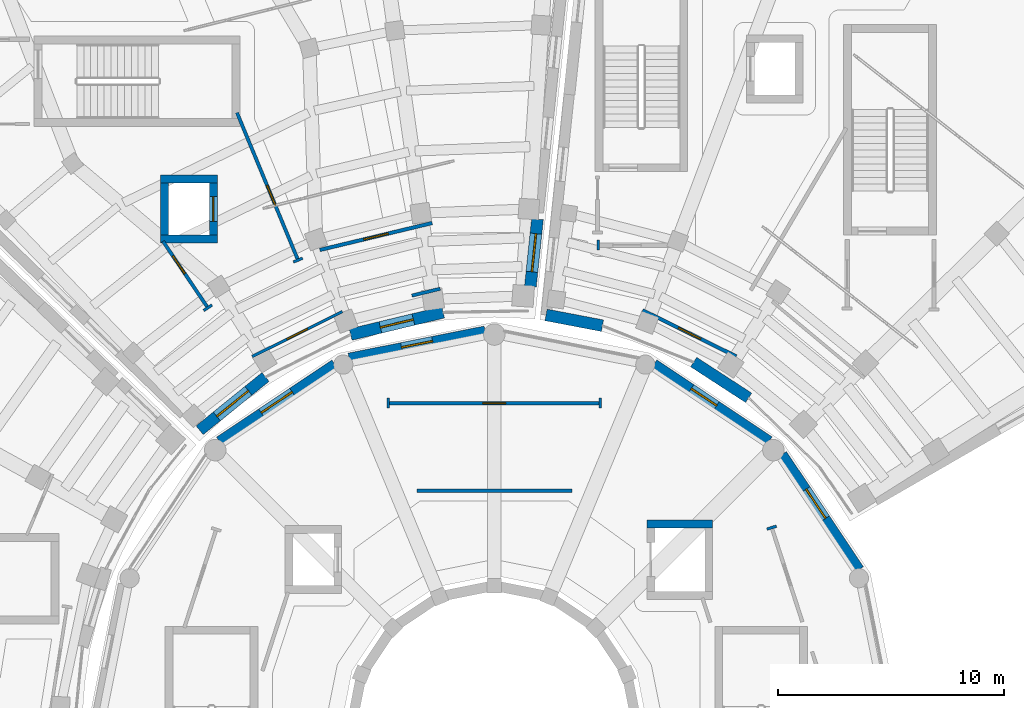
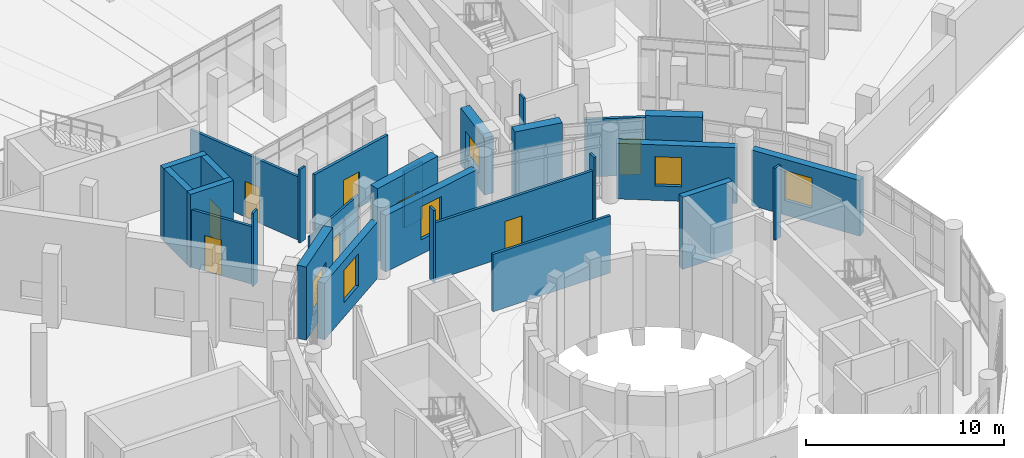
# One storey, part 55 of 75: 28 walls, 7 doors, 7 windows, 14 openings.
"""IFC4 building model written with IfcOpenShell, lengths in metres."""

from ifc_helpers import new_model, si_unit, direction, frame, frame_2d, origin, place, context, subcontext, project, spatial, rectangle, extrude, material, layer, layer_set, type_object, element, fill, save


model = new_model("IFC4")

# Units and contexts
model_context = context("Model", 3, precision=1e-05, world=origin(), true_north=direction((0.0, 1.0)))
body_context = subcontext(model_context, "Body", "Model", "MODEL_VIEW")
ifc_project = project(units=[si_unit("LENGTHUNIT", "METRE"), si_unit("AREAUNIT", "SQUARE_METRE"), si_unit("VOLUMEUNIT", "CUBIC_METRE"), si_unit("PLANEANGLEUNIT", "RADIAN"), si_unit("MASSUNIT", "GRAM", prefix="KILO")], contexts=[model_context])

# Site, building, storey
site_placement = place(None, origin())
site = spatial("IfcSite", under=ifc_project, at=site_placement, CompositionType="ELEMENT")
building_placement = place(site_placement, origin())
building = spatial("IfcBuilding", under=site, at=building_placement, Name="Soyqirgoq Riverine Aquarium", CompositionType="ELEMENT")
storey_placement = place(building_placement, frame((0.0, 0.0, 10.199951171875)))
storey = spatial("IfcBuildingStorey", under=building, at=storey_placement, Name="L03", CompositionType="ELEMENT", Elevation=10.199951171875)

# Walls
ifc_material_1 = material(Name="Concrete C40/50", Category="concrete")
ifc_layer_1 = layer(ifc_material_1, 0.35009765625)
ifc_layer_set_1 = layer_set([ifc_layer_1], Name="Concrete C40/50")
wall_type_1 = type_object("IfcWallType", Name="CoreShearWall_350_C40", PredefinedType="SHEAR", material=ifc_layer_set_1)
wall_1_placement = place(storey_placement, frame((65.655029296875, 66.080078125, 0.0), z_axis=(0.0, 0.0, 1.0), x_axis=(-1.0, 0.0, 0.0)))
element("IfcWall", 1, at=wall_1_placement, inside=storey, type_object=wall_type_1, Name="Lift GL-1 Shaft Wall L03 3", PredefinedType="SHEAR", context=body_context, shape_type="SweptSolid", body=[
    extrude(rectangle(XDim=2.909912109375, YDim=0.35009765625, at=frame_2d((1.455078125, 0.0))), origin(), (0.0, 0.0, 1.0), 4.449951171875),
])
wall_2_placement = place(storey_placement, frame((41.2451171875, 78.669921875, 0.0), z_axis=(0.0, 0.0, 1.0), x_axis=(1.0, 0.0, 0.0)))
element("IfcWall", 2, at=wall_2_placement, inside=storey, type_object=wall_type_1, Name="Lift PL-3 Shaft Wall L03 1", PredefinedType="SHEAR", context=body_context, shape_type="SweptSolid", body=[
    extrude(rectangle(XDim=2.509765625, YDim=0.35009765625, at=frame_2d((1.2548828125, 0.0))), origin(), (0.0, 0.0, 1.0), 4.52001953125),
])

# Wall, opening, door
wall_3_placement = place(storey_placement, frame((43.580078125, 78.844970703125, 0.0), z_axis=(0.0, 0.0, 1.0), x_axis=(0.0, 1.0, 0.0)))
wall_3 = element("IfcWall", 3, at=wall_3_placement, inside=storey, type_object=wall_type_1, Name="Lift PL-3 Shaft Wall L03 2", PredefinedType="SHEAR", context=body_context, shape_type="SweptSolid", body=[
    extrude(rectangle(XDim=2.31005859375, YDim=0.35009765625, at=frame_2d((1.155029296875, 0.0))), origin(), (0.0, 0.0, 1.0), 4.52001953125),
])
opening_1_placement = place(wall_3_placement, frame((0.60498046875, 0.0, 0.0)))
opening_1 = element("IfcOpeningElement", 4, at=opening_1_placement, cuts=wall_3, Name="Opening LD-01", PredefinedType="OPENING", context=body_context, shape_type="SweptSolid", body=[
    extrude(rectangle(XDim=1.10009765625, YDim=2.199951171875, at=frame_2d((0.550048828125, 1.10009765625))), frame((0.0, 0.18505859375, 0.0), z_axis=(0.0, -1.0, 0.0), x_axis=(1.0, 0.0, 0.0)), (0.0, 0.0, 1.0), 0.3701171875),
])
ifc_material_2 = material(Name="Brushed stainless steel telescopic lift landing door", Category="steel")
door_type_1 = type_object("IfcDoorType", Name="LiftLandingDoor_1100x2200", OperationType="SLIDING_TO_LEFT", PredefinedType="DOOR", material=ifc_material_2)
door_1_placement = place(opening_1_placement, origin())
door_1 = element("IfcDoor", 5, at=door_1_placement, inside=storey, type_object=door_type_1, Name="LD-PL-3-L03 Lift PL-3 L03 Sliding Landing Door", OperationType="SLIDING_TO_LEFT", OverallHeight=2.199951171875, OverallWidth=1.10009765625, PredefinedType="DOOR", context=body_context, shape_type="SweptSolid", body=[
    extrude(rectangle(XDim=1.10009765625, YDim=2.199951171875, at=frame_2d((0.550048828125, 1.10009765625))), frame((0.0, 0.02490234375, 0.0), z_axis=(0.0, -1.0, 0.0), x_axis=(1.0, 0.0, 0.0)), (0.0, 0.0, 1.0), 0.050048828125),
])
fill(opening_1, door_1)

# Walls
wall_4_placement = place(storey_placement, frame((43.7548828125, 81.330078125, 0.0), z_axis=(0.0, 0.0, 1.0), x_axis=(-1.0, 0.0, 0.0)))
element("IfcWall", 6, at=wall_4_placement, inside=storey, type_object=wall_type_1, Name="Lift PL-3 Shaft Wall L03 3", PredefinedType="SHEAR", context=body_context, shape_type="SweptSolid", body=[
    extrude(rectangle(XDim=2.509765625, YDim=0.35009765625, at=frame_2d((1.2548828125, 0.0))), origin(), (0.0, 0.0, 1.0), 4.52001953125),
])
wall_5_placement = place(storey_placement, frame((41.419921875, 81.155029296875, 0.0), z_axis=(0.0, 0.0, 1.0), x_axis=(0.0, -1.0, 0.0)))
element("IfcWall", 7, at=wall_5_placement, inside=storey, type_object=wall_type_1, Name="Lift PL-3 Shaft Wall L03 4", PredefinedType="SHEAR", context=body_context, shape_type="SweptSolid", body=[
    extrude(rectangle(XDim=2.31005859375, YDim=0.35009765625, at=frame_2d((1.155029296875, 0.0))), origin(), (0.0, 0.0, 1.0), 4.52001953125),
])
ifc_material_3 = material(Name="Lightweight steel-stud gypsum partition", Category="steel")
ifc_layer_2 = layer(ifc_material_3, 0.1201171875)
ifc_layer_set_2 = layer_set([ifc_layer_2], Name="Lightweight steel-stud gypsum partition")
wall_type_2 = type_object("IfcWallType", Name="PartitionWall_120_Std", PredefinedType="PARTITIONING", material=ifc_layer_set_2)
for number, where, z_axis, x_axis, name in (
    (8, (51.314208984375, 71.200927734375, 0.0), (0.0, 0.0, 1.0), (0.0, 1.0, 0.0), "V1 L03 Jamb Return Pier"),
    (9, (60.685791015625, 71.200927734375, 0.0), (0.0, 0.0, 1.0), (0.0, 1.0, 0.0), "V1 L03 Jamb Return Pier"),
):
    element("IfcWall", number, at=place(storey_placement, frame(where, z_axis=z_axis, x_axis=x_axis)), inside=storey, type_object=wall_type_2, Name=name, PredefinedType="PARTITIONING", context=body_context, shape_type="SweptSolid", body=[
        extrude(rectangle(XDim=0.440185546875, YDim=0.1201171875, at=frame_2d((0.22021484375, 0.0))), origin(), (0.0, 0.0, 1.0), 4.449951171875),
    ])
wall_6_placement = place(storey_placement, frame((68.05810546875, 65.8447265625, 0.0), z_axis=(0.0, 0.0, 1.0), x_axis=(0.950989181438, 0.309224152984, 0.0)))
element("IfcWall", 10, at=wall_6_placement, inside=storey, type_object=wall_type_2, Name="V1 L03 Jamb Return Pier", PredefinedType="PARTITIONING", context=body_context, shape_type="SweptSolid", body=[
    extrude(rectangle(XDim=0.439697265625, YDim=0.1201171875, at=frame_2d((0.2197265625, 0.0))), origin(), (0.0, 0.0, 1.0), 4.449951171875),
])

# Wall, opening, door
wall_7_placement = place(storey_placement, frame((45.2978515625, 73.47998046875, 0.0), z_axis=(0.0, 0.0, 1.0), x_axis=(0.894931487964, 0.446203576689, 0.0)))
wall_7 = element("IfcWall", 11, at=wall_7_placement, inside=storey, type_object=wall_type_2, Name="V4 Gallery Circulation Corridor Partition Wall", PredefinedType="PARTITIONING", context=body_context, shape_type="SweptSolid", body=[
    extrude(rectangle(XDim=4.448974609375, YDim=0.1201171875, at=frame_2d((2.224609375, 0.0))), origin(), (0.0, 0.0, 1.0), 3.56005859375),
])
opening_2_placement = place(wall_7_placement, frame((1.724609375, 0.0, 0.0)))
opening_2 = element("IfcOpeningElement", 12, at=opening_2_placement, cuts=wall_7, Name="Opening ID-03", PredefinedType="OPENING", context=body_context, shape_type="SweptSolid", body=[
    extrude(rectangle(XDim=1.0, YDim=2.199951171875, at=frame_2d((0.5, 1.10009765625))), frame((0.0, 0.070068359375, 0.0), z_axis=(0.0, -1.0, 0.0), x_axis=(1.0, 0.0, 0.0)), (0.0, 0.0, 1.0), 0.14013671875),
])
ifc_material_4 = material(Name="Solid-core ash veneer room door", Category="wood")
door_type_2 = type_object("IfcDoorType", Name="RoomDoor_1000x2200", OperationType="NOTDEFINED", PredefinedType="DOOR", material=ifc_material_4)
door_2_placement = place(opening_2_placement, origin())
door_2 = element("IfcDoor", 13, at=door_2_placement, inside=storey, type_object=door_type_2, Name="IDR-V4-L03-0124 Jellyfish Gallery Door", OperationType="SINGLE_SWING_RIGHT", OverallHeight=2.199951171875, OverallWidth=1.0, PredefinedType="DOOR", context=body_context, shape_type="SweptSolid", body=[
    extrude(rectangle(XDim=1.0, YDim=2.199951171875, at=frame_2d((0.5, 1.10009765625))), frame((0.0, 0.02490234375, 0.0), z_axis=(0.0, -1.0, 0.0), x_axis=(1.0, 0.0, 0.0)), (0.0, 0.0, 1.0), 0.050048828125),
])
fill(opening_2, door_2)

# Walls
wall_8_placement = place(storey_placement, frame((43.516845703125, 75.75732421875, 0.0), z_axis=(0.0, 0.0, 1.0), x_axis=(-0.828964441269, -0.559301309772, 0.0)))
element("IfcWall", 14, at=wall_8_placement, inside=storey, type_object=wall_type_2, Name="V4 L03 Jamb Return Pier", PredefinedType="PARTITIONING", context=body_context, shape_type="SweptSolid", body=[
    extrude(rectangle(XDim=0.43994140625, YDim=0.1201171875, at=frame_2d((0.219970703125, 0.0))), origin(), (0.0, 0.0, 1.0), 4.52001953125),
])
wall_9_placement = place(storey_placement, frame((47.525146484375, 77.826416015625, 0.0), z_axis=(0.0, 0.0, 1.0), x_axis=(-0.923895176824, -0.38264566147, 0.0)))
element("IfcWall", 15, at=wall_9_placement, inside=storey, type_object=wall_type_2, Name="V4 L03 Jamb Return Pier", PredefinedType="PARTITIONING", context=body_context, shape_type="SweptSolid", body=[
    extrude(rectangle(XDim=0.440185546875, YDim=0.1201171875, at=frame_2d((0.22021484375, 0.0))), origin(), (0.0, 0.0, 1.0), 4.52001953125),
])
wall_10_placement = place(storey_placement, frame((60.60009765625, 78.179931640625, 0.0), z_axis=(0.0, 0.0, 1.0), x_axis=(0.0, 1.0, 0.0)))
element("IfcWall", 16, at=wall_10_placement, inside=storey, type_object=wall_type_2, Name="V5 L03 Jamb Return Pier", PredefinedType="PARTITIONING", context=body_context, shape_type="SweptSolid", body=[
    extrude(rectangle(XDim=0.440185546875, YDim=0.1201171875, at=frame_2d((0.22021484375, 0.0))), origin(), (0.0, 0.0, 1.0), 3.91015625),
])

# Wall, opening, door
ifc_material_5 = material(Name="Acoustic mineral-wool twin-stud partition", Category="gypsum")
ifc_layer_3 = layer(ifc_material_5, 0.14990234375)
ifc_layer_set_3 = layer_set([ifc_layer_3], Name="Acoustic mineral-wool twin-stud partition")
wall_type_3 = type_object("IfcWallType", Name="PartitionWall_150_Acoustic", PredefinedType="PARTITIONING", material=ifc_layer_set_3)
wall_11_placement = place(storey_placement, frame((51.314208984375, 71.4208984375, 0.0), z_axis=(0.0, 0.0, 1.0), x_axis=(1.0, 0.0, 0.0)))
wall_11 = element("IfcWall", 17, at=wall_11_placement, inside=storey, type_object=wall_type_3, Name="Ocean Tank Panorama Gallery Partition Wall", PredefinedType="PARTITIONING", context=body_context, shape_type="SweptSolid", body=[
    extrude(rectangle(XDim=9.37158203125, YDim=0.14990234375, at=frame_2d((4.685791015625, 0.0))), origin(), (0.0, 0.0, 1.0), 3.5400390625),
])
opening_3_placement = place(wall_11_placement, frame((4.185791015625, 0.0, 0.0)))
opening_3 = element("IfcOpeningElement", 18, at=opening_3_placement, cuts=wall_11, Name="Opening ID-03", PredefinedType="OPENING", context=body_context, shape_type="SweptSolid", body=[
    extrude(rectangle(XDim=1.0, YDim=2.199951171875, at=frame_2d((0.5, 1.10009765625))), frame((0.0, 0.0849609375, 0.0), z_axis=(0.0, -1.0, 0.0), x_axis=(1.0, 0.0, 0.0)), (0.0, 0.0, 1.0), 0.169921875),
])
door_3_placement = place(opening_3_placement, origin())
door_3 = element("IfcDoor", 19, at=door_3_placement, inside=storey, type_object=door_type_2, Name="IDR-V1-L03-0039 Ocean Drum Circulation Corridor Door", OperationType="SINGLE_SWING_LEFT", OverallHeight=2.199951171875, OverallWidth=1.0, PredefinedType="DOOR", context=body_context, shape_type="SweptSolid", body=[
    extrude(rectangle(XDim=1.0, YDim=2.199951171875, at=frame_2d((0.5, 1.10009765625))), frame((0.0, 0.02490234375, 0.0), z_axis=(0.0, -1.0, 0.0), x_axis=(1.0, 0.0, 0.0)), (0.0, 0.0, 1.0), 0.050048828125),
])
fill(opening_3, door_3)

# Wall
wall_12_placement = place(storey_placement, frame((59.426025390625, 67.544189453125, 0.0), z_axis=(0.0, 0.0, 1.0), x_axis=(-1.0, 0.0, 0.0)))
element("IfcWall", 20, at=wall_12_placement, inside=storey, type_object=wall_type_3, Name="Kelp Canopy Viewing Terrace Room Partition Wall", PredefinedType="PARTITIONING", context=body_context, shape_type="SweptSolid", body=[
    extrude(rectangle(XDim=6.85205078125, YDim=0.14990234375, at=frame_2d((3.426025390625, 0.0))), origin(), (0.0, 0.0, 1.0), 3.5400390625),
])

# Wall, opening, door
wall_13_placement = place(storey_placement, frame((43.33447265625, 75.63427734375, 0.0), z_axis=(0.0, 0.0, 1.0), x_axis=(-0.559178030118, 0.829047604564, 0.0)))
wall_13 = element("IfcWall", 21, at=wall_13_placement, inside=storey, type_object=wall_type_3, Name="Jellyfish Gallery Partition Wall", PredefinedType="PARTITIONING", context=body_context, shape_type="SweptSolid", body=[
    extrude(rectangle(XDim=3.541748046875, YDim=0.14990234375, at=frame_2d((1.77099609375, 0.0))), origin(), (0.0, 0.0, 1.0), 3.56005859375),
])
opening_4_placement = place(wall_13_placement, frame((1.8134765625, 0.0, 0.0)))
opening_4 = element("IfcOpeningElement", 22, at=opening_4_placement, cuts=wall_13, Name="Opening ID-06", PredefinedType="OPENING", context=body_context, shape_type="SweptSolid", body=[
    extrude(rectangle(XDim=0.949951171875, YDim=2.199951171875, at=frame_2d((0.47509765625, 1.10009765625))), frame((0.0, 0.0849609375, 0.0), z_axis=(0.0, -1.0, 0.0), x_axis=(1.0, 0.0, 0.0)), (0.0, 0.0, 1.0), 0.169921875),
])
ifc_material_6 = material(Name="Moisture-resistant HPL washroom door", Category="wood")
door_type_3 = type_object("IfcDoorType", Name="WCDoor_950x2200", OperationType="NOTDEFINED", PredefinedType="DOOR", material=ifc_material_6)
door_4_placement = place(opening_4_placement, origin())
door_4 = element("IfcDoor", 23, at=door_4_placement, inside=storey, type_object=door_type_3, Name="IDR-V4-L03-0125 Cephalopod Habitat Gallery Door", OperationType="SINGLE_SWING_LEFT", OverallHeight=2.199951171875, OverallWidth=0.949951171875, PredefinedType="DOOR", context=body_context, shape_type="SweptSolid", body=[
    extrude(rectangle(XDim=0.949951171875, YDim=2.199951171875, at=frame_2d((0.47509765625, 1.10009765625))), frame((0.0, 0.02490234375, 0.0), z_axis=(0.0, -1.0, 0.0), x_axis=(1.0, 0.0, 0.0)), (0.0, 0.0, 1.0), 0.050048828125),
])
fill(opening_4, door_4)

wall_14_placement = place(storey_placement, frame((47.32177734375, 77.7421875, 0.0), z_axis=(0.0, 0.0, 1.0), x_axis=(-0.382701100873, 0.923872213778, 0.0)))
wall_14 = element("IfcWall", 24, at=wall_14_placement, inside=storey, type_object=wall_type_3, Name="Cephalopod Habitat Gallery Partition Wall", PredefinedType="PARTITIONING", context=body_context, shape_type="SweptSolid", body=[
    extrude(rectangle(XDim=7.0576171875, YDim=0.14990234375, at=frame_2d((3.52880859375, 0.0))), origin(), (0.0, 0.0, 1.0), 3.91015625),
])
opening_5_placement = place(wall_14_placement, frame((2.623779296875, 0.0, 0.0)))
opening_5 = element("IfcOpeningElement", 25, at=opening_5_placement, cuts=wall_14, Name="Opening ID-06", PredefinedType="OPENING", context=body_context, shape_type="SweptSolid", body=[
    extrude(rectangle(XDim=0.949951171875, YDim=2.199951171875, at=frame_2d((0.47509765625, 1.10009765625))), frame((0.0, 0.0849609375, 0.0), z_axis=(0.0, -1.0, 0.0), x_axis=(1.0, 0.0, 0.0)), (0.0, 0.0, 1.0), 0.169921875),
])
door_5_placement = place(opening_5_placement, origin())
door_5 = element("IfcDoor", 26, at=door_5_placement, inside=storey, type_object=door_type_3, Name="IDR-V4-L03-0127 Plankton Microscopy Laboratory Access Door", OperationType="SINGLE_SWING_RIGHT", OverallHeight=2.199951171875, OverallWidth=0.949951171875, PredefinedType="DOOR", context=body_context, shape_type="SweptSolid", body=[
    extrude(rectangle(XDim=0.949951171875, YDim=2.199951171875, at=frame_2d((0.47509765625, 1.10009765625))), frame((0.0, 0.02490234375, 0.0), z_axis=(0.0, -1.0, 0.0), x_axis=(1.0, 0.0, 0.0)), (0.0, 0.0, 1.0), 0.050048828125),
])
fill(opening_5, door_5)

# Wall
wall_15_placement = place(storey_placement, frame((53.60888671875, 76.473388671875, 0.0), z_axis=(0.0, 0.0, 1.0), x_axis=(-0.972382147102, -0.233394430091, 0.0)))
element("IfcWall", 27, at=wall_15_placement, inside=storey, type_object=wall_type_3, Name="Jellyfish Gallery Partition Wall", PredefinedType="PARTITIONING", context=body_context, shape_type="SweptSolid", body=[
    extrude(rectangle(XDim=1.289794921875, YDim=0.14990234375, at=frame_2d((0.64501953125, 0.0))), origin(), (0.0, 0.0, 1.0), 3.510009765625),
])

# Wall, opening, door
ifc_material_7 = material(Name="Fire-rated acoustic gypsum stud partition", Category="gypsum")
ifc_layer_4 = layer(ifc_material_7, 0.159912109375)
ifc_layer_set_4 = layer_set([ifc_layer_4], Name="Fire-rated acoustic gypsum stud partition")
wall_type_4 = type_object("IfcWallType", Name="PartitionWall_160_EI60", PredefinedType="PARTITIONING", material=ifc_layer_set_4)
wall_16_placement = place(storey_placement, frame((53.251708984375, 79.3818359375, 0.0), z_axis=(0.0, 0.0, 1.0), x_axis=(-0.972378185718, -0.233410933633, 0.0)))
wall_16 = element("IfcWall", 28, at=wall_16_placement, inside=storey, type_object=wall_type_4, Name="V4 Gallery Circulation Corridor Partition Wall", PredefinedType="PARTITIONING", context=body_context, shape_type="SweptSolid", body=[
    extrude(rectangle(XDim=5.10546875, YDim=0.159912109375, at=frame_2d((2.552734375, 0.0))), origin(), (0.0, 0.0, 1.0), 3.510009765625),
])
opening_6_placement = place(wall_16_placement, frame((2.002685546875, 0.0, 0.0)))
opening_6 = element("IfcOpeningElement", 29, at=opening_6_placement, cuts=wall_16, Name="Opening ID-04", PredefinedType="OPENING", context=body_context, shape_type="SweptSolid", body=[
    extrude(rectangle(XDim=1.10009765625, YDim=2.199951171875, at=frame_2d((0.550048828125, 1.10009765625))), frame((0.0, 0.08984375, 0.0), z_axis=(0.0, -1.0, 0.0), x_axis=(1.0, 0.0, 0.0)), (0.0, 0.0, 1.0), 0.179931640625),
])
ifc_material_8 = material(Name="Chemical-resistant HPL fire-rated laboratory door", Category="wood")
door_type_4 = type_object("IfcDoorType", Name="LabDoor_1100x2200_EI60", OperationType="NOTDEFINED", PredefinedType="DOOR", material=ifc_material_8)
door_6_placement = place(opening_6_placement, origin())
door_6 = element("IfcDoor", 30, at=door_6_placement, inside=storey, type_object=door_type_4, Name="IDR-V4-L03-0123 Plankton Microscopy Laboratory Door", OperationType="SINGLE_SWING_LEFT", OverallHeight=2.199951171875, OverallWidth=1.10009765625, PredefinedType="DOOR", context=body_context, shape_type="SweptSolid", body=[
    extrude(rectangle(XDim=1.10009765625, YDim=2.199951171875, at=frame_2d((0.550048828125, 1.10009765625))), frame((0.0, 0.02490234375, 0.0), z_axis=(0.0, -1.0, 0.0), x_axis=(1.0, 0.0, 0.0)), (0.0, 0.0, 1.0), 0.050048828125),
])
fill(opening_6, door_6)

wall_17_placement = place(storey_placement, frame((62.559326171875, 75.52294921875, 0.0), z_axis=(0.0, 0.0, 1.0), x_axis=(0.896876614616, -0.442280836296, 0.0)))
wall_17 = element("IfcWall", 31, at=wall_17_placement, inside=storey, type_object=wall_type_4, Name="V5 Gallery Circulation Corridor Partition Wall", PredefinedType="PARTITIONING", context=body_context, shape_type="SweptSolid", body=[
    extrude(rectangle(XDim=4.619140625, YDim=0.159912109375, at=frame_2d((2.3095703125, 0.0))), origin(), (0.0, 0.0, 1.0), 3.56005859375),
])
opening_7_placement = place(wall_17_placement, frame((1.759521484375, 0.0, 0.0)))
opening_7 = element("IfcOpeningElement", 32, at=opening_7_placement, cuts=wall_17, Name="Opening ID-04", PredefinedType="OPENING", context=body_context, shape_type="SweptSolid", body=[
    extrude(rectangle(XDim=1.10009765625, YDim=2.199951171875, at=frame_2d((0.550048828125, 1.10009765625))), frame((0.0, 0.08984375, 0.0), z_axis=(0.0, -1.0, 0.0), x_axis=(1.0, 0.0, 0.0)), (0.0, 0.0, 1.0), 0.179931640625),
])
door_7_placement = place(opening_7_placement, origin())
door_7 = element("IfcDoor", 33, at=door_7_placement, inside=storey, type_object=door_type_4, Name="IDR-V5-L03-0152 Marine Research Laboratory Door", OperationType="SINGLE_SWING_RIGHT", OverallHeight=2.199951171875, OverallWidth=1.10009765625, PredefinedType="DOOR", context=body_context, shape_type="SweptSolid", body=[
    extrude(rectangle(XDim=1.10009765625, YDim=2.199951171875, at=frame_2d((0.550048828125, 1.10009765625))), frame((0.0, 0.02490234375, 0.0), z_axis=(0.0, -1.0, 0.0), x_axis=(1.0, 0.0, 0.0)), (0.0, 0.0, 1.0), 0.050048828125),
])
fill(opening_7, door_7)

# Wall, opening, window
ifc_material_9 = material(Name="Honed travertine limestone cavity wall", Category="masonry")
ifc_layer_5 = layer(ifc_material_9, 0.5)
ifc_layer_set_5 = layer_set([ifc_layer_5], Name="Honed travertine limestone cavity wall")
wall_type_5 = type_object("IfcWallType", Name="TravertineCavityWall_500", PredefinedType="SOLIDWALL", material=ifc_layer_set_5)
wall_18_placement = place(storey_placement, frame((45.885986328125, 72.57421875, 0.0), z_axis=(0.0, 0.0, 1.0), x_axis=(-0.777525600638, -0.628851286357, 0.0)))
wall_18 = element("IfcWall", 34, at=wall_18_placement, inside=storey, type_object=wall_type_5, Name="V4 L03 Exterior Travertine Wall 0218", PredefinedType="SOLIDWALL", context=body_context, shape_type="SweptSolid", body=[
    extrude(rectangle(XDim=3.74560546875, YDim=0.5, at=frame_2d((1.872802734375, 0.0))), origin(), (0.0, 0.0, 1.0), 4.52001953125),
])
opening_8_placement = place(wall_18_placement, frame((0.972900390625, 0.0, 0.89990234375)))
opening_8 = element("IfcOpeningElement", 35, at=opening_8_placement, cuts=wall_18, Name="Opening WN-05", PredefinedType="OPENING", context=body_context, shape_type="SweptSolid", body=[
    extrude(rectangle(XDim=1.800048828125, YDim=2.10009765625, at=frame_2d((0.89990234375, 1.050048828125))), frame((0.0, 0.260009765625, 0.0), z_axis=(0.0, -1.0, 0.0), x_axis=(1.0, 0.0, 0.0)), (0.0, 0.0, 1.0), 0.52001953125),
])
ifc_material_10 = material(Name="Thermally broken aluminium triple low-E window", Category="aluminium")
window_type_1 = type_object("IfcWindowType", Name="Win_Gallery_1800x2100", PartitioningType="DOUBLE_PANEL_VERTICAL", PredefinedType="WINDOW", material=ifc_material_10)
window_1_placement = place(opening_8_placement, origin())
window_1 = element("IfcWindow", 36, at=window_1_placement, inside=storey, type_object=window_type_1, Name="V4 L03 Facade Window 0172", OverallHeight=2.10009765625, OverallWidth=1.800048828125, PartitioningType="DOUBLE_PANEL_VERTICAL", PredefinedType="WINDOW", context=body_context, shape_type="SweptSolid", body=[
    extrude(rectangle(XDim=1.800048828125, YDim=2.10009765625, at=frame_2d((0.89990234375, 1.050048828125))), frame((0.0, 0.030029296875, 0.0), z_axis=(0.0, -1.0, 0.0), x_axis=(1.0, 0.0, 0.0)), (0.0, 0.0, 1.0), 0.06005859375),
])
fill(opening_8, window_1)

# Wall
wall_19_placement = place(storey_placement, frame((67.243896484375, 71.6533203125, 0.0), z_axis=(0.0, 0.0, 1.0), x_axis=(-0.838651405995, 0.544668540695, 0.0)))
element("IfcWall", 37, at=wall_19_placement, inside=storey, type_object=wall_type_5, Name="V5 L03 Exterior Travertine Wall 0281", PredefinedType="SOLIDWALL", context=body_context, shape_type="SweptSolid", body=[
    extrude(rectangle(XDim=2.898193359375, YDim=0.5, at=frame_2d((1.44921875, 0.0))), origin(), (0.0, 0.0, 1.0), 4.52001953125),
])

# Wall, opening, window
ifc_material_11 = material(Name="Honed travertine limestone cavity wall", Category="masonry")
ifc_layer_6 = layer(ifc_material_11, 0.52001953125)
ifc_layer_set_6 = layer_set([ifc_layer_6], Name="Honed travertine limestone cavity wall")
wall_type_6 = type_object("IfcWallType", Name="TravertineCavityWall_520", PredefinedType="SOLIDWALL", material=ifc_layer_set_6)
wall_20_placement = place(storey_placement, frame((57.907958984375, 79.552978515625, 0.0), z_axis=(0.0, 0.0, 1.0), x_axis=(-0.104535873439, -0.9945211165, 0.0)))
wall_20 = element("IfcWall", 38, at=wall_20_placement, inside=storey, type_object=wall_type_6, Name="V4 L03 Exterior Travertine Wall 0216", PredefinedType="SOLIDWALL", context=body_context, shape_type="SweptSolid", body=[
    extrude(rectangle(XDim=2.987060546875, YDim=0.52001953125, at=frame_2d((1.49365234375, 0.0))), origin(), (0.0, 0.0, 1.0), 3.510009765625),
])
opening_9_placement = place(wall_20_placement, frame((0.6435546875, 0.0, 0.89990234375)))
opening_9 = element("IfcOpeningElement", 39, at=opening_9_placement, cuts=wall_20, Name="Opening WN-21", PredefinedType="OPENING", context=body_context, shape_type="SweptSolid", body=[
    extrude(rectangle(XDim=1.699951171875, YDim=1.550048828125, at=frame_2d((0.85009765625, 0.77490234375))), frame((0.0, 0.27001953125, 0.0), z_axis=(0.0, -1.0, 0.0), x_axis=(1.0, 0.0, 0.0)), (0.0, 0.0, 1.0), 0.5400390625),
])
ifc_material_12 = material(Name="Thermally broken aluminium triple low-E window", Category="aluminium")
window_type_2 = type_object("IfcWindowType", Name="Win_Lab_1700x1550", PartitioningType="DOUBLE_PANEL_VERTICAL", PredefinedType="WINDOW", material=ifc_material_12)
window_2_placement = place(opening_9_placement, origin())
window_2 = element("IfcWindow", 40, at=window_2_placement, inside=storey, type_object=window_type_2, Name="V4 L03 Facade Window 0170", OverallHeight=1.550048828125, OverallWidth=1.699951171875, PartitioningType="DOUBLE_PANEL_VERTICAL", PredefinedType="WINDOW", context=body_context, shape_type="SweptSolid", body=[
    extrude(rectangle(XDim=1.699951171875, YDim=1.550048828125, at=frame_2d((0.85009765625, 0.77490234375))), frame((0.0, 0.030029296875, 0.0), z_axis=(0.0, -1.0, 0.0), x_axis=(1.0, 0.0, 0.0)), (0.0, 0.0, 1.0), 0.06005859375),
])
fill(opening_9, window_2)

wall_21_placement = place(storey_placement, frame((53.73681640625, 75.431884765625, 0.0), z_axis=(0.0, 0.0, 1.0), x_axis=(-0.972358304115, -0.233493743855, 0.0)))
wall_21 = element("IfcWall", 41, at=wall_21_placement, inside=storey, type_object=wall_type_6, Name="V4 L03 Exterior Travertine Wall 0217", PredefinedType="SOLIDWALL", context=body_context, shape_type="SweptSolid", body=[
    extrude(rectangle(XDim=4.204345703125, YDim=0.52001953125, at=frame_2d((2.10205078125, 0.0))), origin(), (0.0, 0.0, 1.0), 4.52001953125),
])
opening_10_placement = place(wall_21_placement, frame((1.352294921875, 0.0, 0.89990234375)))
opening_10 = element("IfcOpeningElement", 42, at=opening_10_placement, cuts=wall_21, Name="Opening WN-04", PredefinedType="OPENING", context=body_context, shape_type="SweptSolid", body=[
    extrude(rectangle(XDim=1.5, YDim=2.10009765625, at=frame_2d((0.75, 1.050048828125))), frame((0.0, 0.27001953125, 0.0), z_axis=(0.0, -1.0, 0.0), x_axis=(1.0, 0.0, 0.0)), (0.0, 0.0, 1.0), 0.5400390625),
])
ifc_material_13 = material(Name="Thermally broken aluminium triple low-E window", Category="aluminium")
window_type_3 = type_object("IfcWindowType", Name="Win_Gallery_1500x2100", PartitioningType="DOUBLE_PANEL_VERTICAL", PredefinedType="WINDOW", material=ifc_material_13)
window_3_placement = place(opening_10_placement, origin())
window_3 = element("IfcWindow", 43, at=window_3_placement, inside=storey, type_object=window_type_3, Name="V4 L03 Facade Window 0171", OverallHeight=2.10009765625, OverallWidth=1.5, PartitioningType="DOUBLE_PANEL_VERTICAL", PredefinedType="WINDOW", context=body_context, shape_type="SweptSolid", body=[
    extrude(rectangle(XDim=1.5, YDim=2.10009765625, at=frame_2d((0.75, 1.050048828125))), frame((0.0, 0.030029296875, 0.0), z_axis=(0.0, -1.0, 0.0), x_axis=(1.0, 0.0, 0.0)), (0.0, 0.0, 1.0), 0.06005859375),
])
fill(opening_10, window_3)

# Wall
wall_22_placement = place(storey_placement, frame((60.780517578125, 74.8408203125, 0.0), z_axis=(0.0, 0.0, 1.0), x_axis=(-0.982217132237, 0.18774851568, 0.0)))
element("IfcWall", 44, at=wall_22_placement, inside=storey, type_object=wall_type_6, Name="V5 L03 Exterior Travertine Wall 0282", PredefinedType="SOLIDWALL", context=body_context, shape_type="SweptSolid", body=[
    extrude(rectangle(XDim=2.538330078125, YDim=0.52001953125, at=frame_2d((1.26904296875, 0.0))), origin(), (0.0, 0.0, 1.0), 4.52001953125),
])

# Wall, opening, window
ifc_material_14 = material(Name="Honed travertine limestone cavity wall", Category="masonry")
ifc_layer_7 = layer(ifc_material_14, 0.39990234375)
ifc_layer_set_7 = layer_set([ifc_layer_7], Name="Honed travertine limestone cavity wall")
wall_type_7 = type_object("IfcWallType", Name="TravertineSpandrelWall_400", PredefinedType="SOLIDWALL", material=ifc_layer_set_7)
wall_23_placement = place(storey_placement, frame((68.7490234375, 69.16650390625, 0.0), z_axis=(0.0, 0.0, 1.0), x_axis=(0.555600855314, -0.831449150324, 0.0)))
wall_23 = element("IfcWall", 45, at=wall_23_placement, inside=storey, type_object=wall_type_7, Name="V1 L03 Exterior Travertine Wall 0004", PredefinedType="SOLIDWALL", context=body_context, shape_type="SweptSolid", body=[
    extrude(rectangle(XDim=6.128173828125, YDim=0.39990234375, at=frame_2d((3.06396484375, 0.0))), origin(), (0.0, 0.0, 1.0), 3.43994140625),
])
opening_11_placement = place(wall_23_placement, frame((1.869140625, 0.0, 0.89990234375)))
opening_11 = element("IfcOpeningElement", 46, at=opening_11_placement, cuts=wall_23, Name="Opening WN-18", PredefinedType="OPENING", context=body_context, shape_type="SweptSolid", body=[
    extrude(rectangle(XDim=1.550048828125, YDim=1.85009765625, at=frame_2d((0.77490234375, 0.925048828125))), frame((0.0, 0.2099609375, 0.0), z_axis=(0.0, -1.0, 0.0), x_axis=(1.0, 0.0, 0.0)), (0.0, 0.0, 1.0), 0.419921875),
])
ifc_material_15 = material(Name="Thermally broken aluminium triple low-E window", Category="aluminium")
window_type_4 = type_object("IfcWindowType", Name="Win_Office_1550x1850", PartitioningType="DOUBLE_PANEL_VERTICAL", PredefinedType="WINDOW", material=ifc_material_15)
window_4_placement = place(opening_11_placement, origin())
window_4 = element("IfcWindow", 47, at=window_4_placement, inside=storey, type_object=window_type_4, Name="V1 L03 Facade Window 0001", OverallHeight=1.85009765625, OverallWidth=1.550048828125, PartitioningType="DOUBLE_PANEL_VERTICAL", PredefinedType="WINDOW", context=body_context, shape_type="SweptSolid", body=[
    extrude(rectangle(XDim=1.550048828125, YDim=1.85009765625, at=frame_2d((0.77490234375, 0.925048828125))), frame((0.0, 0.030029296875, 0.0), z_axis=(0.0, -1.0, 0.0), x_axis=(1.0, 0.0, 0.0)), (0.0, 0.0, 1.0), 0.06005859375),
])
fill(opening_11, window_4)

wall_24_placement = place(storey_placement, frame((43.83349609375, 69.7490234375, 0.0), z_axis=(0.0, 0.0, 1.0), x_axis=(0.831449150324, 0.555600855314, 0.0)))
wall_24 = element("IfcWall", 48, at=wall_24_placement, inside=storey, type_object=wall_type_7, Name="V1 L03 Exterior Travertine Wall 0023", PredefinedType="SOLIDWALL", context=body_context, shape_type="SweptSolid", body=[
    extrude(rectangle(XDim=6.128173828125, YDim=0.39990234375, at=frame_2d((3.06396484375, 0.0))), origin(), (0.0, 0.0, 1.0), 3.489990234375),
])
opening_12_placement = place(wall_24_placement, frame((2.239013671875, 0.0, 0.89990234375)))
opening_12 = element("IfcOpeningElement", 49, at=opening_12_placement, cuts=wall_24, Name="Opening WN-13", PredefinedType="OPENING", context=body_context, shape_type="SweptSolid", body=[
    extrude(rectangle(XDim=1.64990234375, YDim=2.0, at=frame_2d((0.824951171875, 1.0))), frame((0.0, 0.2099609375, 0.0), z_axis=(0.0, -1.0, 0.0), x_axis=(1.0, 0.0, 0.0)), (0.0, 0.0, 1.0), 0.419921875),
])
ifc_material_16 = material(Name="Thermally broken aluminium triple low-E window", Category="aluminium")
window_type_5 = type_object("IfcWindowType", Name="Win_Gallery_1650x2000", PartitioningType="DOUBLE_PANEL_VERTICAL", PredefinedType="WINDOW", material=ifc_material_16)
window_5_placement = place(opening_12_placement, origin())
window_5 = element("IfcWindow", 50, at=window_5_placement, inside=storey, type_object=window_type_5, Name="V1 L03 Facade Window 0012", OverallHeight=2.0, OverallWidth=1.64990234375, PartitioningType="DOUBLE_PANEL_VERTICAL", PredefinedType="WINDOW", context=body_context, shape_type="SweptSolid", body=[
    extrude(rectangle(XDim=1.64990234375, YDim=2.0, at=frame_2d((0.824951171875, 1.0))), frame((0.0, 0.030029296875, 0.0), z_axis=(0.0, -1.0, 0.0), x_axis=(1.0, 0.0, 0.0)), (0.0, 0.0, 1.0), 0.06005859375),
])
fill(opening_12, window_5)

ifc_material_17 = material(Name="Honed travertine limestone cavity wall", Category="masonry")
ifc_layer_8 = layer(ifc_material_17, 0.419921875)
ifc_layer_set_8 = layer_set([ifc_layer_8], Name="Honed travertine limestone cavity wall")
wall_type_8 = type_object("IfcWallType", Name="TravertineSpandrelWall_420", PredefinedType="SOLIDWALL", material=ifc_layer_set_8)
wall_25_placement = place(storey_placement, frame((63.0712890625, 73.15380859375, 0.0), z_axis=(0.0, 0.0, 1.0), x_axis=(0.831449150324, -0.555600855314, 0.0)))
wall_25 = element("IfcWall", 51, at=wall_25_placement, inside=storey, type_object=wall_type_8, Name="V1 L03 Exterior Travertine Wall 0010", PredefinedType="SOLIDWALL", context=body_context, shape_type="SweptSolid", body=[
    extrude(rectangle(XDim=6.128173828125, YDim=0.419921875, at=frame_2d((3.06396484375, 0.0))), origin(), (0.0, 0.0, 1.0), 3.43994140625),
])
opening_13_placement = place(wall_25_placement, frame((1.968994140625, 0.0, 0.89990234375)))
opening_13 = element("IfcOpeningElement", 52, at=opening_13_placement, cuts=wall_25, Name="Opening WN-08", PredefinedType="OPENING", context=body_context, shape_type="SweptSolid", body=[
    extrude(rectangle(XDim=1.35009765625, YDim=1.800048828125, at=frame_2d((0.675048828125, 0.89990234375))), frame((0.0, 0.219970703125, 0.0), z_axis=(0.0, -1.0, 0.0), x_axis=(1.0, 0.0, 0.0)), (0.0, 0.0, 1.0), 0.43994140625),
])
ifc_material_18 = material(Name="Thermally broken aluminium triple low-E window", Category="aluminium")
window_type_6 = type_object("IfcWindowType", Name="Win_Office_1350x1800", PartitioningType="DOUBLE_PANEL_VERTICAL", PredefinedType="WINDOW", material=ifc_material_18)
window_6_placement = place(opening_13_placement, origin())
window_6 = element("IfcWindow", 53, at=window_6_placement, inside=storey, type_object=window_type_6, Name="V1 L03 Facade Window 0004", OverallHeight=1.800048828125, OverallWidth=1.35009765625, PartitioningType="DOUBLE_PANEL_VERTICAL", PredefinedType="WINDOW", context=body_context, shape_type="SweptSolid", body=[
    extrude(rectangle(XDim=1.35009765625, YDim=1.800048828125, at=frame_2d((0.675048828125, 0.89990234375))), frame((0.0, 0.030029296875, 0.0), z_axis=(0.0, -1.0, 0.0), x_axis=(1.0, 0.0, 0.0)), (0.0, 0.0, 1.0), 0.06005859375),
])
fill(opening_13, window_6)

wall_26_placement = place(storey_placement, frame((49.57763671875, 73.422607421875, 0.0), z_axis=(0.0, 0.0, 1.0), x_axis=(0.980785460091, 0.195089418663, 0.0)))
wall_26 = element("IfcWall", 54, at=wall_26_placement, inside=storey, type_object=wall_type_8, Name="V1 L03 Exterior Travertine Wall 0017", PredefinedType="SOLIDWALL", context=body_context, shape_type="SweptSolid", body=[
    extrude(rectangle(XDim=6.128173828125, YDim=0.419921875, at=frame_2d((3.06396484375, 0.0))), origin(), (0.0, 0.0, 1.0), 3.489990234375),
])
opening_14_placement = place(wall_26_placement, frame((2.364013671875, 0.0, 0.89990234375)))
opening_14 = element("IfcOpeningElement", 55, at=opening_14_placement, cuts=wall_26, Name="Opening WN-20", PredefinedType="OPENING", context=body_context, shape_type="SweptSolid", body=[
    extrude(rectangle(XDim=1.39990234375, YDim=2.050048828125, at=frame_2d((0.699951171875, 1.02490234375))), frame((0.0, 0.219970703125, 0.0), z_axis=(0.0, -1.0, 0.0), x_axis=(1.0, 0.0, 0.0)), (0.0, 0.0, 1.0), 0.43994140625),
])
ifc_material_19 = material(Name="Thermally broken aluminium triple low-E window", Category="aluminium")
window_type_7 = type_object("IfcWindowType", Name="Win_Gallery_1400x2050", PartitioningType="DOUBLE_PANEL_VERTICAL", PredefinedType="WINDOW", material=ifc_material_19)
window_7_placement = place(opening_14_placement, origin())
window_7 = element("IfcWindow", 56, at=window_7_placement, inside=storey, type_object=window_type_7, Name="V1 L03 Facade Window 0008", OverallHeight=2.050048828125, OverallWidth=1.39990234375, PartitioningType="DOUBLE_PANEL_VERTICAL", PredefinedType="WINDOW", context=body_context, shape_type="SweptSolid", body=[
    extrude(rectangle(XDim=1.39990234375, YDim=2.050048828125, at=frame_2d((0.699951171875, 1.02490234375))), frame((0.0, 0.030029296875, 0.0), z_axis=(0.0, -1.0, 0.0), x_axis=(1.0, 0.0, 0.0)), (0.0, 0.0, 1.0), 0.06005859375),
])
fill(opening_14, window_7)

save(model, "model.ifc")
